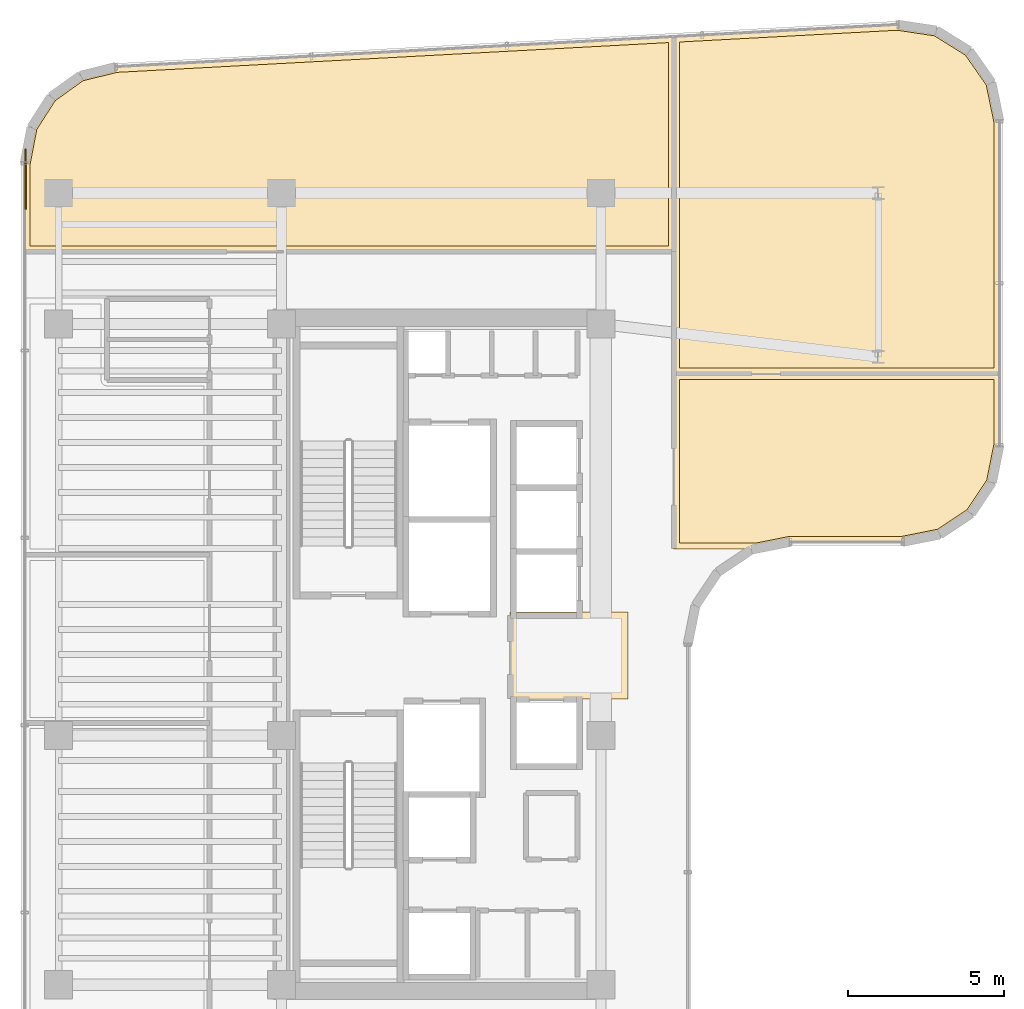
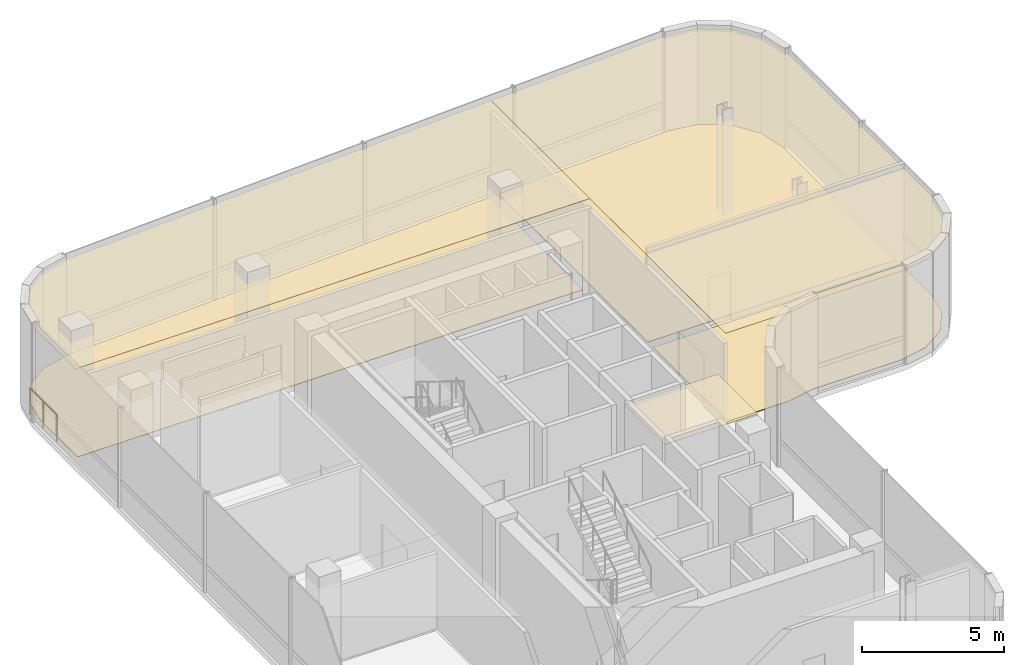
# One storey, part 17 of 17: 7 coverings, 1 railing.
"""IFC4 building model written with IfcOpenShell, lengths in metres."""

from ifc_helpers import new_model, si_unit, direction, frame, origin, origin_2d, place, context, subcontext, project, spatial, polyline, circle, outline, extrude, material, layer, layer_set, type_object, element, save


model = new_model("IFC4")

# Units and contexts
model_context = context("Model", 3, precision=1e-05, world=origin(), true_north=direction((0.0, 1.0)))
body_context = subcontext(model_context, "Body", "Model", "MODEL_VIEW")
ifc_project = project(units=[si_unit("LENGTHUNIT", "METRE"), si_unit("AREAUNIT", "SQUARE_METRE"), si_unit("VOLUMEUNIT", "CUBIC_METRE"), si_unit("PLANEANGLEUNIT", "RADIAN"), si_unit("MASSUNIT", "GRAM", prefix="KILO")], contexts=[model_context])

# Site, building, storey
site_placement = place(None, origin())
site = spatial("IfcSite", under=ifc_project, at=site_placement, CompositionType="ELEMENT")
building_placement = place(site_placement, origin())
building = spatial("IfcBuilding", under=site, at=building_placement, Name="Valdorenza Pilgrim Sanctuary Tower", CompositionType="ELEMENT")
storey_placement = place(building_placement, frame((0.0, 0.0, 201.0)))
storey = spatial("IfcBuildingStorey", under=building, at=storey_placement, Name="L51", CompositionType="ELEMENT", Elevation=201.0)

# Coverings
ifc_material_1 = material(Name="Micro-perforated acoustic mineral ceiling tile", Category="gypsum")
ifc_layer_1 = layer(ifc_material_1, 0.02490234375, Name="Micro-perforated acoustic mineral ceiling tile")
ifc_layer_set_1 = layer_set([ifc_layer_1], Name="Micro-perforated acoustic mineral ceiling tile")
covering_type_1 = type_object("IfcCoveringType", Name="COV-CLG-ACU", PredefinedType="CEILING", material=ifc_layer_set_1)
covering_1_placement = place(storey_placement, frame((0.0, 0.0, 3.9599609375)))
element("IfcCovering", 1, at=covering_1_placement, inside=storey, type_object=covering_type_1, Name="L51 Core A Passenger Lift Lobby Acoustic Ceiling", PredefinedType="CEILING", context=body_context, shape_type="SweptSolid", body=[
    extrude(outline(polyline([(-15.31298828125, 1.244384765625), (-15.31298828125, 1.24462890625), (-15.313720703125, 1.24609375), (-15.314208984375, 1.24755859375), (-15.314697265625, 1.2490234375), (-15.31494140625, 1.25048828125), (-15.31494140625, 1.251953125), (-15.31494140625, 1.35009765625), (-15.31494140625, 1.3515625), (-15.314697265625, 1.352783203125), (-15.314453125, 1.3544921875), (-15.31396484375, 1.355712890625), (-15.313232421875, 1.357177734375), (-15.3125, 1.3583984375), (-15.3115234375, 1.359619140625), (-15.310546875, 1.360595703125), (-15.3095703125, 1.361572265625), (-15.308349609375, 1.362548828125), (-15.30712890625, 1.36328125), (-15.3056640625, 1.364013671875), (-15.304443359375, 1.364501953125), (-15.302978515625, 1.36474609375), (-15.301513671875, 1.364990234375), (-15.300048828125, 1.364990234375), (-15.10205078125, 1.364990234375), (-15.1005859375, 1.364990234375), (-15.09912109375, 1.36474609375), (-15.097412109375, 1.3642578125), (-15.09619140625, 1.36376953125), (-15.0947265625, 1.363037109375), (-15.094482421875, 1.363037109375), (-13.185546875, 1.363037109375), (-13.185302734375, 1.363037109375), (-13.183837890625, 1.36376953125), (-13.1826171875, 1.3642578125), (-13.180908203125, 1.36474609375), (-13.179443359375, 1.364990234375), (-13.177978515625, 1.364990234375), (-11.550048828125, 1.364990234375), (-11.548583984375, 1.364990234375), (-11.547119140625, 1.36474609375), (-11.545654296875, 1.364501953125), (-11.544189453125, 1.364013671875), (-11.54296875, 1.36328125), (-11.541748046875, 1.362548828125), (-11.54052734375, 1.361572265625), (-11.539306640625, 1.360595703125), (-11.538330078125, 1.359619140625), (-11.53759765625, 1.3583984375), (-11.536865234375, 1.357177734375), (-11.5361328125, 1.355712890625), (-11.53564453125, 1.3544921875), (-11.535400390625, 1.352783203125), (-11.53515625, 1.3515625), (-11.534912109375, 1.35009765625), (-11.534912109375, -1.419921875), (-11.53515625, -1.42138671875), (-11.535400390625, -1.4228515625), (-11.53564453125, -1.42431640625), (-11.5361328125, -1.42578125), (-11.536865234375, -1.427001953125), (-11.53759765625, -1.42822265625), (-11.538330078125, -1.429443359375), (-11.539306640625, -1.4306640625), (-11.54052734375, -1.431640625), (-11.541748046875, -1.4326171875), (-11.54296875, -1.43310546875), (-11.544189453125, -1.433837890625), (-11.545654296875, -1.434326171875), (-11.547119140625, -1.434814453125), (-11.548583984375, -1.434814453125), (-11.550048828125, -1.43505859375), (-15.298095703125, -1.43505859375), (-15.299560546875, -1.434814453125), (-15.30078125, -1.434814453125), (-15.302490234375, -1.434326171875), (-15.3037109375, -1.433837890625), (-15.30517578125, -1.43310546875), (-15.306396484375, -1.4326171875), (-15.3076171875, -1.431640625), (-15.30859375, -1.4306640625), (-15.3095703125, -1.429443359375), (-15.310546875, -1.42822265625), (-15.311279296875, -1.427001953125), (-15.31201171875, -1.42578125), (-15.3125, -1.42431640625), (-15.312744140625, -1.4228515625), (-15.31298828125, -1.42138671875), (-15.31298828125, -1.419921875), (-15.31298828125, 1.244384765625)])), origin(), (0.0, 0.0, 1.0), 0.025146484375),
])
covering_2_placement = place(storey_placement, frame((0.0, 0.0, 3.9599609375)))
element("IfcCovering", 2, at=covering_2_placement, inside=storey, type_object=covering_type_1, Name="L51 Theological Reference Library Acoustic Ceiling", PredefinedType="CEILING", context=body_context, shape_type="SweptSolid", body=[
    extrude(outline(polyline([(-30.889892578125, 12.905029296875), (-30.8916015625, 12.905029296875), (-30.892822265625, 12.9052734375), (-30.894287109375, 12.905517578125), (-30.895751953125, 12.906005859375), (-30.897216796875, 12.90673828125), (-30.898193359375, 12.907470703125), (-30.8994140625, 12.908447265625), (-30.900634765625, 12.909423828125), (-30.901611328125, 12.910400390625), (-30.902587890625, 12.91162109375), (-30.9033203125, 12.912841796875), (-30.90380859375, 12.914306640625), (-30.904296875, 12.91552734375), (-30.90478515625, 12.9169921875), (-30.90478515625, 12.91845703125), (-30.905029296875, 12.919921875), (-30.905029296875, 15.757568359375), (-30.90478515625, 15.759033203125), (-30.90478515625, 15.760498046875), (-30.683349609375, 16.9140625), (-30.68310546875, 16.915283203125), (-30.6826171875, 16.916748046875), (-30.681884765625, 16.918212890625), (-30.681396484375, 16.919189453125), (-30.05419921875, 17.89990234375), (-30.053466796875, 17.901123046875), (-30.052490234375, 17.90234375), (-30.051513671875, 17.9033203125), (-30.05029296875, 17.904052734375), (-29.104736328125, 18.5830078125), (-29.103515625, 18.583740234375), (-29.102294921875, 18.58447265625), (-29.10107421875, 18.5849609375), (-29.099609375, 18.58544921875), (-27.959716796875, 18.86865234375), (-27.958251953125, 18.868896484375), (-27.956787109375, 18.869140625), (-10.05078125, 19.83544921875), (-10.04931640625, 19.83544921875), (-10.0478515625, 19.835205078125), (-10.04638671875, 19.835205078125), (-10.045166015625, 19.834716796875), (-10.043701171875, 19.834228515625), (-10.04248046875, 19.83349609375), (-10.041259765625, 19.832763671875), (-10.040283203125, 19.831787109375), (-10.039306640625, 19.830810546875), (-10.0380859375, 19.829833984375), (-10.037353515625, 19.82861328125), (-10.03662109375, 19.827392578125), (-10.0361328125, 19.826171875), (-10.03564453125, 19.82470703125), (-10.035400390625, 19.8232421875), (-10.03515625, 19.822021484375), (-10.034912109375, 19.820556640625), (-10.034912109375, 12.919921875), (-10.03515625, 12.91845703125), (-10.035400390625, 12.9169921875), (-10.03564453125, 12.91552734375), (-10.0361328125, 12.914306640625), (-10.036865234375, 12.912841796875), (-10.03759765625, 12.91162109375), (-10.038330078125, 12.910400390625), (-10.039306640625, 12.909423828125), (-10.04052734375, 12.908447265625), (-10.041748046875, 12.907470703125), (-10.04296875, 12.90673828125), (-10.044189453125, 12.906005859375), (-10.045654296875, 12.905517578125), (-10.047119140625, 12.9052734375), (-10.048583984375, 12.905029296875), (-10.050048828125, 12.905029296875), (-30.889892578125, 12.905029296875)])), origin(), (0.0, 0.0, 1.0), 0.025146484375),
])
covering_3_placement = place(storey_placement, frame((0.0, 0.0, 3.9599609375)))
element("IfcCovering", 3, at=covering_3_placement, inside=storey, type_object=covering_type_1, Name="L51 L51 Sacred Art Exhibition Gallery Acoustic Ceiling", PredefinedType="CEILING", context=body_context, shape_type="SweptSolid", body=[
    extrude(outline(polyline([(-10.06494140625, 9.0), (-10.06494140625, 9.00146484375), (-10.064697265625, 9.0029296875), (-10.064453125, 9.00439453125), (-10.06396484375, 9.005615234375), (-10.063232421875, 9.007080078125), (-10.0625, 9.00830078125), (-10.0615234375, 9.009521484375), (-10.060546875, 9.010498046875), (-10.0595703125, 9.01171875), (-10.058349609375, 9.012451171875), (-10.05712890625, 9.01318359375), (-10.0556640625, 9.013916015625), (-10.054443359375, 9.014404296875), (-10.052978515625, 9.0146484375), (-10.051513671875, 9.014892578125), (-10.050048828125, 9.014892578125), (0.389892578125, 9.014892578125), (0.3916015625, 9.014892578125), (0.392822265625, 9.0146484375), (0.394287109375, 9.014404296875), (0.395751953125, 9.013916015625), (0.397216796875, 9.01318359375), (0.398193359375, 9.012451171875), (0.3994140625, 9.01171875), (0.400634765625, 9.010498046875), (0.401611328125, 9.009521484375), (0.402587890625, 9.00830078125), (0.4033203125, 9.007080078125), (0.40380859375, 9.005615234375), (0.404296875, 9.00439453125), (0.40478515625, 9.0029296875), (0.40478515625, 9.00146484375), (0.405029296875, 9.0), (0.405029296875, 6.710693359375), (0.40478515625, 6.70947265625), (0.40478515625, 6.7080078125), (0.16748046875, 5.515380859375), (0.1669921875, 5.513916015625), (0.16650390625, 5.5126953125), (0.166015625, 5.51123046875), (0.165283203125, 5.510009765625), (-0.504150390625, 4.50830078125), (-0.5048828125, 4.507080078125), (-0.506103515625, 4.506103515625), (-0.507080078125, 4.5048828125), (-0.50830078125, 4.504150390625), (-1.510009765625, 3.834716796875), (-1.51123046875, 3.833984375), (-1.5126953125, 3.83349609375), (-1.513916015625, 3.8330078125), (-1.515380859375, 3.83251953125), (-2.7080078125, 3.59521484375), (-2.70947265625, 3.59521484375), (-2.710693359375, 3.594970703125), (-6.299560546875, 3.594970703125), (-6.309326171875, 3.594482421875), (-6.31884765625, 3.593017578125), (-7.363525390625, 3.38525390625), (-7.364990234375, 3.385009765625), (-7.366455078125, 3.385009765625), (-10.050048828125, 3.385009765625), (-10.051513671875, 3.385009765625), (-10.052978515625, 3.38525390625), (-10.054443359375, 3.385498046875), (-10.0556640625, 3.385986328125), (-10.05712890625, 3.38671875), (-10.058349609375, 3.387451171875), (-10.0595703125, 3.388427734375), (-10.060546875, 3.389404296875), (-10.0615234375, 3.390380859375), (-10.0625, 3.3916015625), (-10.063232421875, 3.392822265625), (-10.06396484375, 3.394287109375), (-10.064453125, 3.3955078125), (-10.064697265625, 3.397216796875), (-10.06494140625, 3.3984375), (-10.06494140625, 3.39990234375), (-10.06494140625, 9.0)])), origin(), (0.0, 0.0, 1.0), 0.025146484375),
])
covering_4_placement = place(storey_placement, frame((0.0, 0.0, 3.9599609375)))
element("IfcCovering", 4, at=covering_4_placement, inside=storey, type_object=covering_type_1, Name="L51 L51 Theological Reference Library Acoustic Ceiling", PredefinedType="CEILING", context=body_context, shape_type="SweptSolid", body=[
    extrude(outline(polyline([(-10.06494140625, 12.91796875), (-10.06494140625, 12.91943359375), (-10.064697265625, 12.9208984375), (-10.064208984375, 12.922607421875), (-10.063720703125, 12.923828125), (-10.06298828125, 12.92529296875), (-10.06298828125, 12.925537109375), (-10.06298828125, 19.820556640625), (-10.06298828125, 19.820556640625), (-10.06298828125, 19.8212890625), (-10.062744140625, 19.82275390625), (-10.0625, 19.82421875), (-10.06201171875, 19.82568359375), (-10.0615234375, 19.826904296875), (-10.060791015625, 19.828369140625), (-10.06005859375, 19.82958984375), (-10.05908203125, 19.83056640625), (-10.05810546875, 19.831787109375), (-10.056884765625, 19.83251953125), (-10.055908203125, 19.83349609375), (-10.054443359375, 19.833984375), (-10.052978515625, 19.834716796875), (-10.0517578125, 19.835205078125), (-10.05029296875, 19.83544921875), (-10.048828125, 19.835693359375), (-2.87841796875, 20.222412109375), (-2.876953125, 20.222412109375), (-2.87548828125, 20.222412109375), (-1.63232421875, 20.035400390625), (-1.630859375, 20.03515625), (-1.62939453125, 20.034912109375), (-1.628173828125, 20.0341796875), (-1.626708984375, 20.033447265625), (-0.568359375, 19.376708984375), (-0.567138671875, 19.3759765625), (-0.56591796875, 19.375), (-0.56494140625, 19.373779296875), (-0.56396484375, 19.372802734375), (0.148681640625, 18.351318359375), (0.1494140625, 18.349853515625), (0.150146484375, 18.3486328125), (0.150634765625, 18.34716796875), (0.151123046875, 18.345703125), (0.40478515625, 17.114501953125), (0.40478515625, 17.11279296875), (0.405029296875, 17.111328125), (0.405029296875, 9.001953125), (0.40478515625, 9.00048828125), (0.40478515625, 8.9990234375), (0.404296875, 8.99755859375), (0.40380859375, 8.996337890625), (0.4033203125, 8.994873046875), (0.402587890625, 8.99365234375), (0.401611328125, 8.992431640625), (0.400634765625, 8.991455078125), (0.3994140625, 8.990478515625), (0.398193359375, 8.989501953125), (0.397216796875, 8.98876953125), (0.395751953125, 8.988037109375), (0.394287109375, 8.987548828125), (0.392822265625, 8.9873046875), (0.3916015625, 8.987060546875), (0.389892578125, 8.987060546875), (-10.050048828125, 8.987060546875), (-10.051513671875, 8.987060546875), (-10.052978515625, 8.9873046875), (-10.054443359375, 8.987548828125), (-10.0556640625, 8.988037109375), (-10.05712890625, 8.98876953125), (-10.058349609375, 8.989501953125), (-10.0595703125, 8.990478515625), (-10.060546875, 8.991455078125), (-10.0615234375, 8.992431640625), (-10.0625, 8.99365234375), (-10.063232421875, 8.994873046875), (-10.06396484375, 8.996337890625), (-10.064453125, 8.99755859375), (-10.064697265625, 8.9990234375), (-10.06494140625, 9.00048828125), (-10.06494140625, 9.001953125), (-10.06494140625, 12.91796875)])), origin(), (0.0, 0.0, 1.0), 0.025146484375),
])
ifc_material_2 = material(Name="Honed travertine stone flooring", Category="masonry")
ifc_layer_2 = layer(ifc_material_2, 0.030029296875, Name="Honed travertine stone flooring")
ifc_layer_set_2 = layer_set([ifc_layer_2], Name="Honed travertine stone flooring")
covering_type_2 = type_object("IfcCoveringType", Name="COV-FLR-TRV", PredefinedType="FLOORING", material=ifc_layer_set_2)
covering_5_placement = place(storey_placement, origin())
element("IfcCovering", 5, at=covering_5_placement, inside=storey, type_object=covering_type_2, Name="L51 Theological Reference Library Flooring", PredefinedType="FLOORING", context=body_context, shape_type="SweptSolid", body=[
    extrude(outline(polyline([(-30.7099609375, 13.10009765625), (-30.7099609375, 15.740478515625), (-30.498291015625, 16.843505859375), (-29.90869140625, 17.765869140625), (-29.019287109375, 18.404541015625), (-27.92919921875, 18.67529296875), (-10.22998046875, 19.630615234375), (-10.22998046875, 13.10009765625), (-30.7099609375, 13.10009765625)])), origin(), (0.0, 0.0, 1.0), 0.02490234375),
])
covering_6_placement = place(storey_placement, origin())
element("IfcCovering", 6, at=covering_6_placement, inside=storey, type_object=covering_type_2, Name="L51 L51 Sacred Art Exhibition Gallery Flooring", PredefinedType="FLOORING", context=body_context, shape_type="SweptSolid", body=[
    extrude(outline(polyline([(-9.8701171875, 8.820068359375), (0.2099609375, 8.820068359375), (0.2099609375, 6.728515625), (-0.016845703125, 5.588623046875), (-0.646484375, 4.646484375), (-1.588623046875, 4.016845703125), (-2.728515625, 3.7900390625), (-6.300048828125, 3.7900390625), (-6.308837890625, 3.789794921875), (-6.319580078125, 3.789306640625), (-6.337158203125, 3.78759765625), (-6.347900390625, 3.785888671875), (-6.356689453125, 3.784423828125), (-7.38427734375, 3.580078125), (-9.8701171875, 3.580078125), (-9.8701171875, 8.820068359375)])), origin(), (0.0, 0.0, 1.0), 0.02490234375),
])
covering_7_placement = place(storey_placement, origin())
element("IfcCovering", 7, at=covering_7_placement, inside=storey, type_object=covering_type_2, Name="L51 L51 Theological Reference Library Flooring", PredefinedType="FLOORING", context=body_context, shape_type="SweptSolid", body=[
    extrude(outline(polyline([(-9.8701171875, 12.89306640625), (-9.8701171875, 12.893310546875), (-9.8701171875, 12.893310546875), (-9.8681640625, 12.910888671875), (-9.8681640625, 12.9111328125), (-9.867919921875, 12.919921875), (-9.867919921875, 19.64990234375), (-2.88623046875, 20.02685546875), (-1.697998046875, 19.84814453125), (-0.70263671875, 19.230712890625), (-0.032470703125, 18.27001953125), (0.2099609375, 17.093017578125), (0.2099609375, 9.181884765625), (-9.8701171875, 9.181884765625), (-9.8701171875, 12.89306640625)])), origin(), (0.0, 0.0, 1.0), 0.02490234375),
])

# Railing
ifc_material_3 = material(Name="Stainless steel Grade 316", Category="steel")
railing_type = type_object("IfcRailingType", Name="RLG-GRD-1120", PredefinedType="GUARDRAIL", material=ifc_material_3)
railing_placement = place(storey_placement, frame((-30.860107421875, 14.300048828125, 0.0)))
element("IfcRailing", 8, at=railing_placement, inside=storey, type_object=railing_type, Name="L51 NW Tangent Safety Sill Guard", PredefinedType="GUARDRAIL", context=body_context, shape_type="SweptSolid", body=[
    extrude(circle(Radius=0.02392578125, at=origin_2d()), frame((0.0, 0.0, 1.17578125), z_axis=(0.0, 1.0, 0.0), x_axis=(-1.0, 0.0, 0.0)), (0.0, 0.0, 1.0), 1.89990234375),
    extrude(circle(Radius=0.02099609375, at=origin_2d()), origin(), (0.0, 0.0, 1.0), 1.15185546875),
    extrude(circle(Radius=0.02099609375, at=origin_2d()), frame((0.0, 0.949951171875, 0.0)), (0.0, 0.0, 1.0), 1.15185546875),
    extrude(circle(Radius=0.02099609375, at=origin_2d()), frame((0.0, 1.89990234375, 0.0)), (0.0, 0.0, 1.0), 1.15185546875),
])

save(model, "model.ifc")
